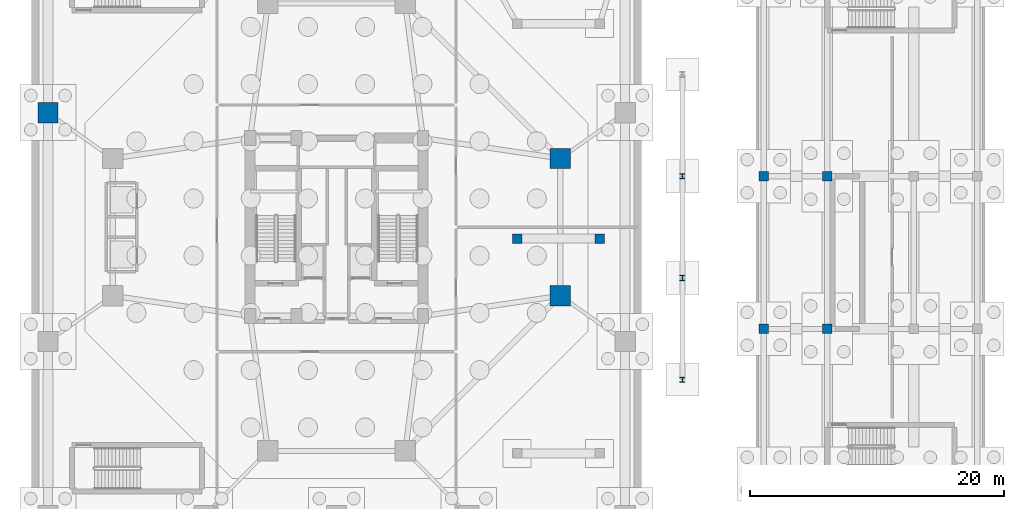
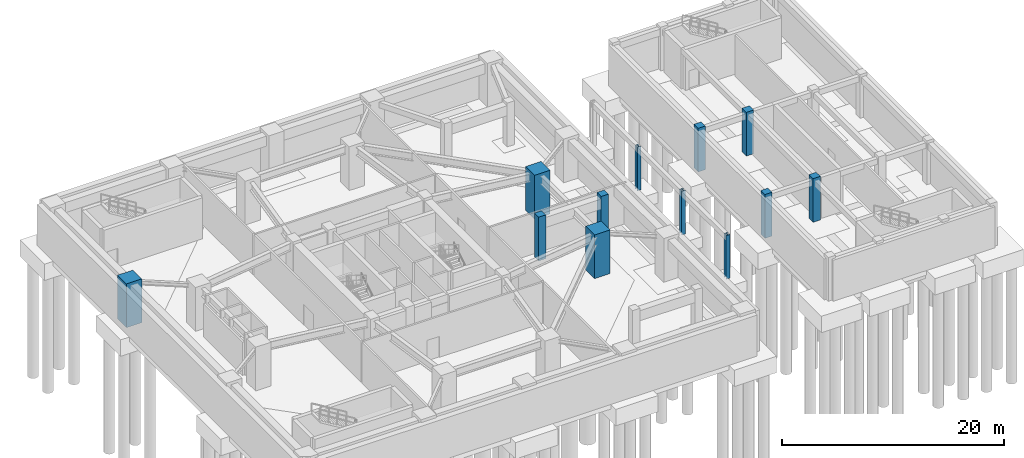
# One storey, part 3 of 11: 12 columns.
"""IFC4 building model written with IfcOpenShell, lengths in metres."""

from ifc_helpers import new_model, si_unit, direction, frame, origin, origin_2d, place, context, subcontext, project, spatial, rectangle, i_section, extrude, material, material_profile, profile_set, type_object, element, save


model = new_model("IFC4")

# Units and contexts
model_context = context("Model", 3, precision=1e-05, world=origin(), true_north=direction((0.0, 1.0)))
body_context = subcontext(model_context, "Body", "Model", "MODEL_VIEW")
ifc_project = project(units=[si_unit("LENGTHUNIT", "METRE"), si_unit("AREAUNIT", "SQUARE_METRE"), si_unit("VOLUMEUNIT", "CUBIC_METRE"), si_unit("PLANEANGLEUNIT", "RADIAN"), si_unit("MASSUNIT", "GRAM", prefix="KILO")], contexts=[model_context])

# Site, building, storey
site_placement = place(None, origin())
site = spatial("IfcSite", under=ifc_project, at=site_placement, CompositionType="ELEMENT")
building_placement = place(site_placement, origin())
building = spatial("IfcBuilding", under=site, at=building_placement, Name="Veraguas Prism Commons", CompositionType="ELEMENT")
storey_placement = place(building_placement, frame((0.0, 0.0, -10.0)))
storey = spatial("IfcBuildingStorey", under=building, at=storey_placement, Name="B2", CompositionType="ELEMENT", Elevation=-10.0)

# Columns
ifc_material_1 = material(Name="Concrete C50/60", Category="concrete")
ifc_material_profile_1 = material_profile(ifc_material_1, rectangle(XDim=0.75, YDim=0.75, at=origin_2d()), Name="RC750X750")
ifc_profile_set_1 = profile_set([ifc_material_profile_1], Name="Concrete C50/60")
column_type_1 = type_object("IfcColumnType", Name="Column Clinic RC 750x750", PredefinedType="COLUMN", material=ifc_profile_set_1)
for number, where, z_axis, x_axis, name in (
    (1, (38.199951171875, 23.10009765625, 0.0), (0.0, 0.0, 1.0), (1.0, 0.0, 0.0), "Vehicle Ramp Mid Column B2-RMM01"),
    (2, (44.699951171875, 23.10009765625, 0.0), (0.0, 0.0, 1.0), (1.0, 0.0, 0.0), "Vehicle Ramp Mid Column B2-RMM02"),
    (3, (57.60009765625, 16.0, 0.0), (0.0, 0.0, 1.0), (1.0, 0.0, 0.0), "Health Centre Column B2-HC02"),
    (4, (57.60009765625, 28.0, 0.0), (0.0, 0.0, 1.0), (1.0, 0.0, 0.0), "Health Centre Column B2-HC03"),
    (5, (62.60009765625, 16.0, 0.0), (0.0, 0.0, 1.0), (1.0, 0.0, 0.0), "Health Centre Column B2-HC06"),
    (6, (62.60009765625, 28.0, 0.0), (0.0, 0.0, 1.0), (1.0, 0.0, 0.0), "Health Centre Column B2-HC07"),
):
    element("IfcColumn", number, at=place(storey_placement, frame(where, z_axis=z_axis, x_axis=x_axis)), inside=storey, type_object=column_type_1, Name=name, PredefinedType="COLUMN", context=body_context, shape_type="SweptSolid", body=[
        extrude(rectangle(XDim=0.75, YDim=0.75, at=origin_2d()), origin(), (0.0, 0.0, 1.0), 4.800048828125),
    ])
ifc_material_2 = material(Name="Steel ASTM A992 Grade 50", Category="steel")
ifc_material_profile_2 = material_profile(ifc_material_2, i_section(OverallWidth=0.404052734375, OverallDepth=0.406982421875, WebThickness=0.025146484375, FlangeThickness=0.040283203125, at=origin_2d()), Name="W360X347")
ifc_profile_set_2 = profile_set([ifc_material_profile_2], Name="Steel ASTM A992 Grade 50")
column_type_2 = type_object("IfcColumnType", Name="Column Crown Portal W360x347", PredefinedType="COLUMN", material=ifc_profile_set_2)
for number, where, z_axis, x_axis, name in (
    (7, (51.199951171875, 12.0, 0.0), (0.0, 0.0, 1.0), (1.0, 0.0, 0.0), "Plaza Canopy Column B2-CN01"),
    (8, (51.199951171875, 20.0, 0.0), (0.0, 0.0, 1.0), (1.0, 0.0, 0.0), "Plaza Canopy Column B2-CN02"),
    (9, (51.199951171875, 28.0, 0.0), (0.0, 0.0, 1.0), (1.0, 0.0, 0.0), "Plaza Canopy Column B2-CN03"),
):
    element("IfcColumn", number, at=place(storey_placement, frame(where, z_axis=z_axis, x_axis=x_axis)), inside=storey, type_object=column_type_2, Name=name, PredefinedType="COLUMN", context=body_context, shape_type="SweptSolid", body=[
        extrude(i_section(OverallWidth=0.404052734375, OverallDepth=0.406982421875, WebThickness=0.025146484375, FlangeThickness=0.040283203125, at=origin_2d()), origin(), (0.0, 0.0, 1.0), 4.800048828125),
    ])
ifc_material_3 = material(Name="Concrete C60/75", Category="concrete")
ifc_material_profile_3 = material_profile(ifc_material_3, rectangle(XDim=1.60009765625, YDim=1.60009765625, at=origin_2d()), Name="RC1600X1600")
ifc_profile_set_3 = profile_set([ifc_material_profile_3], Name="Concrete C60/75")
column_type_3 = type_object("IfcColumnType", Name="Column Mega RC 1600x1600", PredefinedType="COLUMN", material=ifc_profile_set_3)
for number, where, z_axis, x_axis, name in (
    (10, (1.300048828125, 33.0, 0.0), (0.0, 0.0, 1.0), (1.0, 0.0, 0.0), "Podium Mega Column B2-PD08"),
    (11, (41.60009765625, 18.60009765625, 0.0), (0.0, 0.0, 1.0), (1.0, 0.0, 0.0), "Tower Mega Column B2-TM01"),
    (12, (41.60009765625, 29.39990234375, 0.0), (0.0, 0.0, 1.0), (1.0, 0.0, 0.0), "Tower Mega Column B2-TM02"),
):
    element("IfcColumn", number, at=place(storey_placement, frame(where, z_axis=z_axis, x_axis=x_axis)), inside=storey, type_object=column_type_3, Name=name, PredefinedType="COLUMN", context=body_context, shape_type="SweptSolid", body=[
        extrude(rectangle(XDim=1.60009765625, YDim=1.60009765625, at=origin_2d()), origin(), (0.0, 0.0, 1.0), 4.800048828125),
    ])

save(model, "model.ifc")
